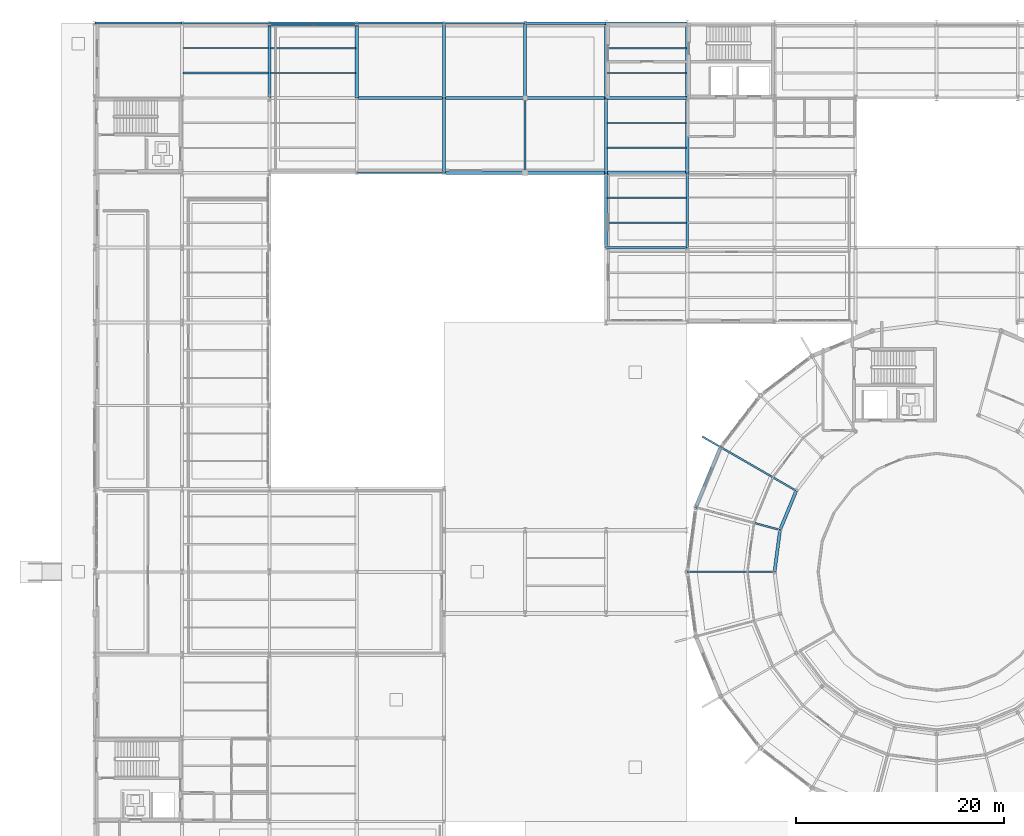
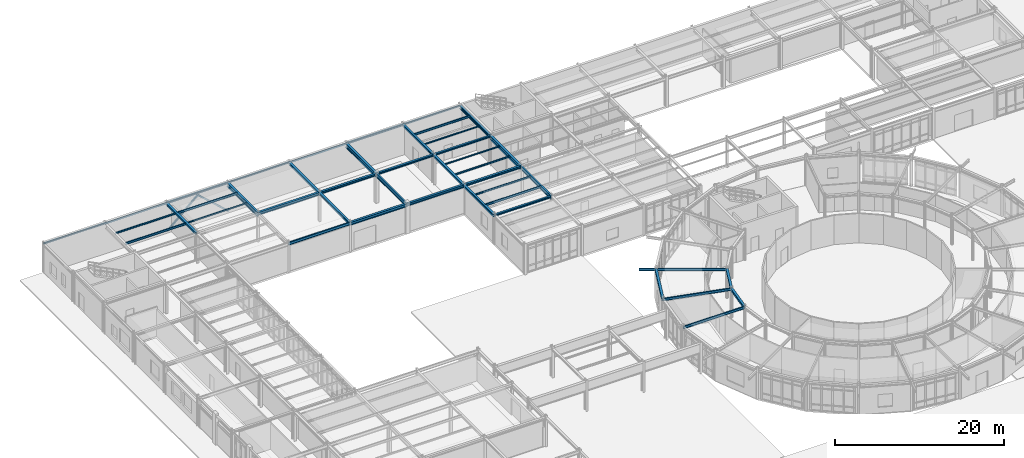
# One storey, part 43 of 101: 44 beams, 2 members.
"""IFC4 building model written with IfcOpenShell, lengths in metres."""

from ifc_helpers import new_model, si_unit, derived_unit, direction, frame, origin, origin_2d, place, context, subcontext, project, spatial, hollow_rectangle, i_section, extrude, material, material_profile, profile_set, type_object, element, save


model = new_model("IFC4")

# Units and contexts
model_context = context("Model", 3, precision=1e-05, world=origin(), true_north=direction((0.0, 1.0)))
body_context = subcontext(model_context, "Body", "Model", "MODEL_VIEW")
ifc_project = project(units=[si_unit("LENGTHUNIT", "METRE"), si_unit("AREAUNIT", "SQUARE_METRE"), si_unit("VOLUMEUNIT", "CUBIC_METRE"), si_unit("PLANEANGLEUNIT", "RADIAN"), si_unit("MASSUNIT", "GRAM", prefix="KILO"), derived_unit("THERMALTRANSMITTANCEUNIT", [(si_unit("POWERUNIT", "WATT"), 1), (si_unit("AREAUNIT", "SQUARE_METRE"), -1), (si_unit("THERMODYNAMICTEMPERATUREUNIT", "KELVIN"), -1)])], contexts=[model_context])

# Site, building, storey
site_placement = place(None, origin())
site = spatial("IfcSite", under=ifc_project, at=site_placement, CompositionType="ELEMENT")
building_placement = place(site_placement, origin())
building = spatial("IfcBuilding", under=site, at=building_placement, Name="Yasenodar Specialist Clinic", CompositionType="ELEMENT")
storey_placement = place(building_placement, origin())
storey = spatial("IfcBuildingStorey", under=building, at=storey_placement, Name="L00", CompositionType="ELEMENT", Elevation=0.0)

# Beams
ifc_material = material(Name="Steel S355", Category="steel")
ifc_material_profile_1 = material_profile(ifc_material, i_section(OverallWidth=0.260009765625, OverallDepth=0.25, WebThickness=0.007568359375, FlangeThickness=0.012451171875, FilletRadius=0.02392578125, at=origin_2d()), Name="HEA 260")
ifc_profile_set_1 = profile_set([ifc_material_profile_1], Name="Steel S355")
beam_type_1 = type_object("IfcBeamType", Name="BM-HEA260", PredefinedType="BEAM", material=ifc_profile_set_1)
for number, where, z_axis, x_axis, name in (
    (1, (49.199951171875, 90.0, 4.125), (1.0, 0.0, 0.0), (0.0, 1.0, 0.0), "L00 Primary E-W Girder"),
    (2, (49.199951171875, 104.39990234375, 4.125), (1.0, 0.0, 0.0), (0.0, 1.0, 0.0), "L00 Primary E-W Girder"),
):
    element("IfcBeam", number, at=place(storey_placement, frame(where, z_axis=z_axis, x_axis=x_axis)), inside=storey, type_object=beam_type_1, Name=name, PredefinedType="BEAM", context=body_context, shape_type="SweptSolid", body=[
        extrude(i_section(OverallWidth=0.260009765625, OverallDepth=0.25, WebThickness=0.007568359375, FlangeThickness=0.012451171875, FilletRadius=0.02392578125, at=origin_2d()), origin(), (0.0, 0.0, 1.0), 7.800048828125),
    ])
ifc_material_profile_2 = material_profile(ifc_material, i_section(OverallWidth=0.280029296875, OverallDepth=0.27001953125, WebThickness=0.008056640625, FlangeThickness=0.012939453125, FilletRadius=0.02392578125, at=origin_2d()), Name="HEA 280")
ifc_profile_set_2 = profile_set([ifc_material_profile_2], Name="Steel S355")
beam_type_2 = type_object("IfcBeamType", Name="BM-HEA280", PredefinedType="BEAM", material=ifc_profile_set_2)
beam_1_placement = place(storey_placement, frame((41.39990234375, 104.39990234375, 4.114990234375), z_axis=(1.0, 0.0, 0.0), x_axis=(0.0, 1.0, 0.0)))
element("IfcBeam", 3, at=beam_1_placement, inside=storey, type_object=beam_type_2, Name="L00 Primary E-W Girder", PredefinedType="BEAM", context=body_context, shape_type="SweptSolid", body=[
    extrude(i_section(OverallWidth=0.280029296875, OverallDepth=0.27001953125, WebThickness=0.008056640625, FlangeThickness=0.012939453125, FilletRadius=0.02392578125, at=origin_2d()), origin(), (0.0, 0.0, 1.0), 7.800048828125),
])
ifc_material_profile_3 = material_profile(ifc_material, i_section(OverallWidth=0.300048828125, OverallDepth=0.2900390625, WebThickness=0.008544921875, FlangeThickness=0.013916015625, FilletRadius=0.027099609375, at=origin_2d()), Name="HEA 300")
ifc_profile_set_3 = profile_set([ifc_material_profile_3], Name="Steel S355")
beam_type_3 = type_object("IfcBeamType", Name="BM-HEA300", PredefinedType="BEAM", material=ifc_profile_set_3)
beam_2_placement = place(storey_placement, frame((16.800048828125, 104.39990234375, 4.10498046875), z_axis=(0.0, 1.0, 0.0), x_axis=(-1.0, 0.0, 0.0)))
element("IfcBeam", 4, at=beam_2_placement, inside=storey, type_object=beam_type_3, Name="L00 Primary N-S Girder", PredefinedType="BEAM", context=body_context, shape_type="SweptSolid", body=[
    extrude(i_section(OverallWidth=0.300048828125, OverallDepth=0.2900390625, WebThickness=0.008544921875, FlangeThickness=0.013916015625, FilletRadius=0.027099609375, at=origin_2d()), origin(), (0.0, 0.0, 1.0), 7.2001953125),
])
ifc_material_profile_4 = material_profile(ifc_material, i_section(OverallWidth=0.300048828125, OverallDepth=0.330078125, WebThickness=0.009521484375, FlangeThickness=0.0166015625, FilletRadius=0.027099609375, at=origin_2d()), Name="HEA 340")
ifc_profile_set_4 = profile_set([ifc_material_profile_4], Name="Steel S355")
beam_type_4 = type_object("IfcBeamType", Name="BM-HEA340", PredefinedType="BEAM", material=ifc_profile_set_4)
beam_3_placement = place(storey_placement, frame((49.199951171875, 97.199951171875, 4.0849609375), z_axis=(1.0, 0.0, 0.0), x_axis=(0.0, 1.0, 0.0)))
element("IfcBeam", 5, at=beam_3_placement, inside=storey, type_object=beam_type_4, Name="L00 Primary E-W Girder", PredefinedType="BEAM", context=body_context, shape_type="SweptSolid", body=[
    extrude(i_section(OverallWidth=0.300048828125, OverallDepth=0.330078125, WebThickness=0.009521484375, FlangeThickness=0.0166015625, FilletRadius=0.027099609375, at=origin_2d()), origin(), (0.0, 0.0, 1.0), 7.800048828125),
])
beam_4_placement = place(storey_placement, frame((33.60009765625, 104.39990234375, 4.0849609375), z_axis=(1.0, 0.0, 0.0), x_axis=(0.0, 1.0, 0.0)))
element("IfcBeam", 6, at=beam_4_placement, inside=storey, type_object=beam_type_4, Name="L00 Primary E-W Girder", PredefinedType="BEAM", context=body_context, shape_type="SweptSolid", body=[
    extrude(i_section(OverallWidth=0.300048828125, OverallDepth=0.330078125, WebThickness=0.009521484375, FlangeThickness=0.0166015625, FilletRadius=0.027099609375, at=origin_2d()), origin(), (0.0, 0.0, 1.0), 7.7998046875),
])
for number, where, z_axis, x_axis, name in (
    (7, (67.489990234375, 66.60009765625, 4.0849609375), (-0.382660650645, -0.92388896868, 0.0), (0.92388896868, -0.382660650645, 0.0), "L00 Drum V1 Inner Ring Beam"),
    (8, (65.931640625, 62.837646484375, 4.0849609375), (-0.130569268018, -0.991439189385, 0.0), (0.991439189385, -0.130569268018, 0.0), "L00 Drum V1 Inner Ring Beam"),
):
    element("IfcBeam", number, at=place(storey_placement, frame(where, z_axis=z_axis, x_axis=x_axis)), inside=storey, type_object=beam_type_4, Name=name, PredefinedType="BEAM", context=body_context, shape_type="SweptSolid", body=[
        extrude(i_section(OverallWidth=0.300048828125, OverallDepth=0.330078125, WebThickness=0.009521484375, FlangeThickness=0.0166015625, FilletRadius=0.027099609375, at=origin_2d()), origin(), (0.0, 0.0, 1.0), 4.072509765625),
    ])
ifc_material_profile_5 = material_profile(ifc_material, i_section(OverallWidth=0.300048828125, OverallDepth=0.389892578125, WebThickness=0.010986328125, FlangeThickness=0.01904296875, FilletRadius=0.027099609375, at=origin_2d()), Name="HEA 400")
ifc_profile_set_5 = profile_set([ifc_material_profile_5], Name="Steel S355")
beam_type_5 = type_object("IfcBeamType", Name="BM-HEA400", PredefinedType="BEAM", material=ifc_profile_set_5)
beam_5_placement = place(storey_placement, frame((41.39990234375, 97.199951171875, 4.054931640625), z_axis=(1.0, 0.0, 0.0), x_axis=(0.0, 1.0, 0.0)))
element("IfcBeam", 9, at=beam_5_placement, inside=storey, type_object=beam_type_5, Name="L00 Primary E-W Girder", PredefinedType="BEAM", context=body_context, shape_type="SweptSolid", body=[
    extrude(i_section(OverallWidth=0.300048828125, OverallDepth=0.389892578125, WebThickness=0.010986328125, FlangeThickness=0.01904296875, FilletRadius=0.027099609375, at=origin_2d()), origin(), (0.0, 0.0, 1.0), 7.800048828125),
])
beam_6_placement = place(storey_placement, frame((25.199951171875, 104.39990234375, 4.054931640625), z_axis=(1.0, 0.0, 0.0), x_axis=(0.0, 1.0, 0.0)))
element("IfcBeam", 10, at=beam_6_placement, inside=storey, type_object=beam_type_5, Name="L00 Primary E-W Girder", PredefinedType="BEAM", context=body_context, shape_type="SweptSolid", body=[
    extrude(i_section(OverallWidth=0.300048828125, OverallDepth=0.389892578125, WebThickness=0.010986328125, FlangeThickness=0.01904296875, FilletRadius=0.027099609375, at=origin_2d()), origin(), (0.0, 0.0, 1.0), 8.400146484375),
])
beam_7_placement = place(storey_placement, frame((60.21533203125, 70.800048828125, 4.054931640625), z_axis=(-0.382663829839, -0.9238876519, 0.0), x_axis=(0.9238876519, -0.382663829839, 0.0)))
element("IfcBeam", 11, at=beam_7_placement, inside=storey, type_object=beam_type_5, Name="L00 Drum V1 Perimeter Ring Beam", PredefinedType="BEAM", context=body_context, shape_type="SweptSolid", body=[
    extrude(i_section(OverallWidth=0.300048828125, OverallDepth=0.389892578125, WebThickness=0.010986328125, FlangeThickness=0.01904296875, FilletRadius=0.027099609375, at=origin_2d()), origin(), (0.0, 0.0, 1.0), 6.26513671875),
])
ifc_material_profile_6 = material_profile(ifc_material, i_section(OverallWidth=0.300048828125, OverallDepth=0.43994140625, WebThickness=0.011474609375, FlangeThickness=0.02099609375, FilletRadius=0.027099609375, at=origin_2d()), Name="HEA 450")
ifc_profile_set_6 = profile_set([ifc_material_profile_6], Name="Steel S355")
beam_type_6 = type_object("IfcBeamType", Name="BM-HEA450", PredefinedType="BEAM", material=ifc_profile_set_6)
beam_8_placement = place(storey_placement, frame((33.60009765625, 97.199951171875, 4.030029296875), z_axis=(1.0, 0.0, 0.0), x_axis=(0.0, 1.0, 0.0)))
element("IfcBeam", 12, at=beam_8_placement, inside=storey, type_object=beam_type_6, Name="L00 Primary E-W Girder", PredefinedType="BEAM", context=body_context, shape_type="SweptSolid", body=[
    extrude(i_section(OverallWidth=0.300048828125, OverallDepth=0.43994140625, WebThickness=0.011474609375, FlangeThickness=0.02099609375, FilletRadius=0.027099609375, at=origin_2d()), origin(), (0.0, 0.0, 1.0), 7.7998046875),
])
ifc_material_profile_7 = material_profile(ifc_material, i_section(OverallWidth=0.280029296875, OverallDepth=0.280029296875, WebThickness=0.010498046875, FlangeThickness=0.01806640625, FilletRadius=0.02392578125, at=origin_2d()), Name="HEB 280")
ifc_profile_set_7 = profile_set([ifc_material_profile_7], Name="Steel S355")
beam_type_7 = type_object("IfcBeamType", Name="BM-HEB280", PredefinedType="BEAM", material=ifc_profile_set_7)
beam_9_placement = place(storey_placement, frame((49.199951171875, 104.39990234375, 4.110107421875), z_axis=(0.0, 1.0, 0.0), x_axis=(-1.0, 0.0, 0.0)))
element("IfcBeam", 13, at=beam_9_placement, inside=storey, type_object=beam_type_7, Name="L00 Primary N-S Girder", PredefinedType="BEAM", context=body_context, shape_type="SweptSolid", body=[
    extrude(i_section(OverallWidth=0.280029296875, OverallDepth=0.280029296875, WebThickness=0.010498046875, FlangeThickness=0.01806640625, FilletRadius=0.02392578125, at=origin_2d()), origin(), (0.0, 0.0, 1.0), 7.2001953125),
])
ifc_material_profile_8 = material_profile(ifc_material, i_section(OverallWidth=0.300048828125, OverallDepth=0.300048828125, WebThickness=0.010986328125, FlangeThickness=0.01904296875, FilletRadius=0.027099609375, at=origin_2d()), Name="HEB 300")
ifc_profile_set_8 = profile_set([ifc_material_profile_8], Name="Steel S355")
beam_type_8 = type_object("IfcBeamType", Name="BM-HEB300", PredefinedType="BEAM", material=ifc_profile_set_8)
beam_10_placement = place(storey_placement, frame((33.60009765625, 104.39990234375, 4.10009765625), z_axis=(0.0, 1.0, 0.0), x_axis=(-1.0, 0.0, 0.0)))
element("IfcBeam", 14, at=beam_10_placement, inside=storey, type_object=beam_type_8, Name="L00 Primary N-S Girder", PredefinedType="BEAM", context=body_context, shape_type="SweptSolid", body=[
    extrude(i_section(OverallWidth=0.300048828125, OverallDepth=0.300048828125, WebThickness=0.010986328125, FlangeThickness=0.01904296875, FilletRadius=0.027099609375, at=origin_2d()), origin(), (0.0, 0.0, 1.0), 7.2001953125),
])
beam_11_placement = place(storey_placement, frame((49.199951171875, 97.199951171875, 4.10009765625), z_axis=(0.0, 1.0, 0.0), x_axis=(-1.0, 0.0, 0.0)))
element("IfcBeam", 15, at=beam_11_placement, inside=storey, type_object=beam_type_8, Name="L00 Primary N-S Girder", PredefinedType="BEAM", context=body_context, shape_type="SweptSolid", body=[
    extrude(i_section(OverallWidth=0.300048828125, OverallDepth=0.300048828125, WebThickness=0.010986328125, FlangeThickness=0.01904296875, FilletRadius=0.027099609375, at=origin_2d()), origin(), (0.0, 0.0, 1.0), 7.199951171875),
])
ifc_material_profile_9 = material_profile(ifc_material, i_section(OverallWidth=0.300048828125, OverallDepth=0.340087890625, WebThickness=0.011962890625, FlangeThickness=0.021484375, FilletRadius=0.027099609375, at=origin_2d()), Name="HEB 340")
ifc_profile_set_9 = profile_set([ifc_material_profile_9], Name="Steel S355")
beam_type_9 = type_object("IfcBeamType", Name="BM-HEB340", PredefinedType="BEAM", material=ifc_profile_set_9)
for number, where, z_axis, x_axis, name in (
    (16, (33.60009765625, 97.199951171875, 4.080078125), (0.0, 1.0, 0.0), (-1.0, 0.0, 0.0), "L00 Primary N-S Girder"),
    (17, (49.199951171875, 90.0, 4.080078125), (0.0, 1.0, 0.0), (-1.0, 0.0, 0.0), "L00 Primary N-S Girder"),
):
    element("IfcBeam", number, at=place(storey_placement, frame(where, z_axis=z_axis, x_axis=x_axis)), inside=storey, type_object=beam_type_9, Name=name, PredefinedType="BEAM", context=body_context, shape_type="SweptSolid", body=[
        extrude(i_section(OverallWidth=0.300048828125, OverallDepth=0.340087890625, WebThickness=0.011962890625, FlangeThickness=0.021484375, FilletRadius=0.027099609375, at=origin_2d()), origin(), (0.0, 0.0, 1.0), 7.199951171875),
    ])
ifc_material_profile_10 = material_profile(ifc_material, i_section(OverallWidth=0.300048828125, OverallDepth=0.449951171875, WebThickness=0.013916015625, FlangeThickness=0.02587890625, FilletRadius=0.027099609375, at=origin_2d()), Name="HEB 450")
ifc_profile_set_10 = profile_set([ifc_material_profile_10], Name="Steel S355")
beam_type_10 = type_object("IfcBeamType", Name="BM-HEB450", PredefinedType="BEAM", material=ifc_profile_set_10)
beam_12_placement = place(storey_placement, frame((57.0, 104.39990234375, 4.02490234375), z_axis=(0.0, 1.0, 0.0), x_axis=(-1.0, 0.0, 0.0)))
element("IfcBeam", 18, at=beam_12_placement, inside=storey, type_object=beam_type_10, Name="L00 Primary N-S Girder", PredefinedType="BEAM", context=body_context, shape_type="SweptSolid", body=[
    extrude(i_section(OverallWidth=0.300048828125, OverallDepth=0.449951171875, WebThickness=0.013916015625, FlangeThickness=0.02587890625, FilletRadius=0.027099609375, at=origin_2d()), origin(), (0.0, 0.0, 1.0), 7.2001953125),
])
ifc_material_profile_11 = material_profile(ifc_material, i_section(OverallWidth=0.300048828125, OverallDepth=0.60009765625, WebThickness=0.015380859375, FlangeThickness=0.030029296875, FilletRadius=0.027099609375, at=origin_2d()), Name="HEB 600")
ifc_profile_set_11 = profile_set([ifc_material_profile_11], Name="Steel S355")
beam_type_11 = type_object("IfcBeamType", Name="BM-HEB600", PredefinedType="BEAM", material=ifc_profile_set_11)
for number, where, z_axis, x_axis, name in (
    (19, (25.199951171875, 104.39990234375, 3.949951171875), (0.0, 1.0, 0.0), (-1.0, 0.0, 0.0), "L00 Primary N-S Girder"),
    (20, (41.39990234375, 104.39990234375, 3.949951171875), (0.0, 1.0, 0.0), (-1.0, 0.0, 0.0), "L00 Primary N-S Girder"),
):
    element("IfcBeam", number, at=place(storey_placement, frame(where, z_axis=z_axis, x_axis=x_axis)), inside=storey, type_object=beam_type_11, Name=name, PredefinedType="BEAM", context=body_context, shape_type="SweptSolid", body=[
        extrude(i_section(OverallWidth=0.300048828125, OverallDepth=0.60009765625, WebThickness=0.015380859375, FlangeThickness=0.030029296875, FilletRadius=0.027099609375, at=origin_2d()), origin(), (0.0, 0.0, 1.0), 7.2001953125),
    ])
beam_13_placement = place(storey_placement, frame((57.0, 97.199951171875, 3.949951171875), z_axis=(0.0, 1.0, 0.0), x_axis=(-1.0, 0.0, 0.0)))
element("IfcBeam", 21, at=beam_13_placement, inside=storey, type_object=beam_type_11, Name="L00 Primary N-S Girder", PredefinedType="BEAM", context=body_context, shape_type="SweptSolid", body=[
    extrude(i_section(OverallWidth=0.300048828125, OverallDepth=0.60009765625, WebThickness=0.015380859375, FlangeThickness=0.030029296875, FilletRadius=0.027099609375, at=origin_2d()), origin(), (0.0, 0.0, 1.0), 7.199951171875),
])
ifc_material_profile_12 = material_profile(ifc_material, i_section(OverallWidth=0.169921875, OverallDepth=0.360107421875, WebThickness=0.008056640625, FlangeThickness=0.0126953125, FilletRadius=0.01806640625, at=origin_2d()), Name="IPE 360")
ifc_profile_set_12 = profile_set([ifc_material_profile_12], Name="Steel S355")
beam_type_12 = type_object("IfcBeamType", Name="BM-IPE360", PredefinedType="BEAM", material=ifc_profile_set_12)
beam_14_placement = place(storey_placement, frame((67.489990234375, 66.60009765625, 4.070068359375), z_axis=(-0.866033467715, 0.499986032603, 0.0), x_axis=(-0.499986032603, -0.866033467715, 0.0)))
element("IfcBeam", 22, at=beam_14_placement, inside=storey, type_object=beam_type_12, Name="L00 Drum V1 Radial Back-Spanned Cantilever Beam", PredefinedType="BEAM", context=body_context, shape_type="SweptSolid", body=[
    extrude(i_section(OverallWidth=0.169921875, OverallDepth=0.360107421875, WebThickness=0.008056640625, FlangeThickness=0.0126953125, FilletRadius=0.01806640625, at=origin_2d()), origin(), (0.0, 0.0, 1.0), 10.449951171875),
])
for number, where, z_axis, x_axis, name in (
    (23, (65.931640625, 62.837646484375, 4.070068359375), (-0.965925996761, 0.258818408893, 0.0), (-0.258818408893, -0.965925996761, 0.0), "L00 Drum V1 Radial Beam"),
    (24, (65.39990234375, 58.800048828125, 4.070068359375), (-1.0, 0.0, 0.0), (0.0, -1.0, 0.0), "L00 Drum V1 Radial Beam"),
):
    element("IfcBeam", number, at=place(storey_placement, frame(where, z_axis=z_axis, x_axis=x_axis)), inside=storey, type_object=beam_type_12, Name=name, PredefinedType="BEAM", context=body_context, shape_type="SweptSolid", body=[
        extrude(i_section(OverallWidth=0.169921875, OverallDepth=0.360107421875, WebThickness=0.008056640625, FlangeThickness=0.0126953125, FilletRadius=0.01806640625, at=origin_2d()), origin(), (0.0, 0.0, 1.0), 8.39990234375),
    ])
ifc_material_profile_13 = material_profile(ifc_material, i_section(OverallWidth=0.179931640625, OverallDepth=0.39990234375, WebThickness=0.008544921875, FlangeThickness=0.013427734375, FilletRadius=0.02099609375, at=origin_2d()), Name="IPE 400")
ifc_profile_set_13 = profile_set([ifc_material_profile_13], Name="Steel S355")
beam_type_13 = type_object("IfcBeamType", Name="BM-IPE400", PredefinedType="BEAM", material=ifc_profile_set_13)
beam_15_placement = place(storey_placement, frame((25.199951171875, 97.199951171875, 4.050048828125), z_axis=(1.0, 0.0, 0.0), x_axis=(0.0, 1.0, 0.0)))
element("IfcBeam", 25, at=beam_15_placement, inside=storey, type_object=beam_type_13, Name="L00 Primary E-W Girder", PredefinedType="BEAM", context=body_context, shape_type="SweptSolid", body=[
    extrude(i_section(OverallWidth=0.179931640625, OverallDepth=0.39990234375, WebThickness=0.008544921875, FlangeThickness=0.013427734375, FilletRadius=0.02099609375, at=origin_2d()), origin(), (0.0, 0.0, 1.0), 8.400146484375),
])
ifc_material_profile_14 = material_profile(ifc_material, i_section(OverallWidth=0.2099609375, OverallDepth=0.550048828125, WebThickness=0.010986328125, FlangeThickness=0.01708984375, FilletRadius=0.02392578125, at=origin_2d()), Name="IPE 550")
ifc_profile_set_14 = profile_set([ifc_material_profile_14], Name="Steel S355")
beam_type_14 = type_object("IfcBeamType", Name="BM-IPE550", PredefinedType="BEAM", material=ifc_profile_set_14)
for number, where, z_axis, x_axis, name in (
    (26, (41.39990234375, 97.199951171875, 3.97509765625), (0.0, 1.0, 0.0), (-1.0, 0.0, 0.0), "L00 Primary N-S Girder"),
    (27, (57.0, 90.0, 3.97509765625), (0.0, 1.0, 0.0), (-1.0, 0.0, 0.0), "L00 Primary N-S Girder"),
):
    element("IfcBeam", number, at=place(storey_placement, frame(where, z_axis=z_axis, x_axis=x_axis)), inside=storey, type_object=beam_type_14, Name=name, PredefinedType="BEAM", context=body_context, shape_type="SweptSolid", body=[
        extrude(i_section(OverallWidth=0.2099609375, OverallDepth=0.550048828125, WebThickness=0.010986328125, FlangeThickness=0.01708984375, FilletRadius=0.02392578125, at=origin_2d()), origin(), (0.0, 0.0, 1.0), 7.199951171875),
    ])

# Members
ifc_material_profile_15 = material_profile(ifc_material, hollow_rectangle(XDim=0.219970703125, YDim=0.219970703125, WallThickness=0.012451171875, InnerFilletRadius=0.018798828125, OuterFilletRadius=0.03125, at=origin_2d()), Name="SHS 220x220x12.5")
ifc_profile_set_15 = profile_set([ifc_material_profile_15], Name="Steel S355")
member_type = type_object("IfcMemberType", Name="BR-LAT-SHS220", PredefinedType="BRACE", material=ifc_profile_set_15)
for number, where, z_axis, x_axis, name in (
    (28, (16.800048828125, 111.425048828125, 0.14990234375), (0.741527609628, 0.0, 0.670922353302), (0.0, 1.0, 0.0), "L00 Lateral Chevron Brace 01A"),
    (29, (25.199951171875, 111.425048828125, 0.14990234375), (-0.741527609628, 0.0, 0.670922353302), (0.0, -1.0, 0.0), "L00 Lateral Chevron Brace 01B"),
):
    element("IfcMember", number, at=place(storey_placement, frame(where, z_axis=z_axis, x_axis=x_axis)), inside=storey, type_object=member_type, Name=name, PredefinedType="BRACE", context=body_context, shape_type="SweptSolid", body=[
        extrude(hollow_rectangle(XDim=0.219970703125, YDim=0.219970703125, WallThickness=0.012451171875, InnerFilletRadius=0.018798828125, OuterFilletRadius=0.03125, at=origin_2d()), origin(), (0.0, 0.0, 1.0), 5.663818359375),
    ])

# Beams
ifc_material_profile_16 = material_profile(ifc_material, i_section(OverallWidth=0.10009765625, OverallDepth=0.199951171875, WebThickness=0.005615234375, FlangeThickness=0.008544921875, FilletRadius=0.011962890625, at=origin_2d()), Name="IPE 200")
ifc_profile_set_16 = profile_set([ifc_material_profile_16], Name="Steel S355")
beam_type_15 = type_object("IfcBeamType", Name="JS-IPE200", PredefinedType="JOIST", material=ifc_profile_set_16)
beam_16_placement = place(storey_placement, frame((16.8798828125, 106.800048828125, 4.14990234375), z_axis=(1.0, 0.0, 0.0), x_axis=(0.0, 1.0, 0.0)))
element("IfcBeam", 30, at=beam_16_placement, inside=storey, type_object=beam_type_15, Name="L00 Composite Floor Joist", PredefinedType="JOIST", context=body_context, shape_type="SweptSolid", body=[
    extrude(i_section(OverallWidth=0.10009765625, OverallDepth=0.199951171875, WebThickness=0.005615234375, FlangeThickness=0.008544921875, FilletRadius=0.011962890625, at=origin_2d()), origin(), (0.0, 0.0, 1.0), 8.240234375),
])
for number, where, z_axis, x_axis, name in (
    (31, (49.280029296875, 102.0, 4.14990234375), (1.0, 0.0, 0.0), (0.0, 1.0, 0.0), "L00 Composite Floor Joist"),
    (32, (49.280029296875, 106.800048828125, 4.14990234375), (1.0, 0.0, 0.0), (0.0, 1.0, 0.0), "L00 Composite Floor Joist"),
):
    element("IfcBeam", number, at=place(storey_placement, frame(where, z_axis=z_axis, x_axis=x_axis)), inside=storey, type_object=beam_type_15, Name=name, PredefinedType="JOIST", context=body_context, shape_type="SweptSolid", body=[
        extrude(i_section(OverallWidth=0.10009765625, OverallDepth=0.199951171875, WebThickness=0.005615234375, FlangeThickness=0.008544921875, FilletRadius=0.011962890625, at=origin_2d()), origin(), (0.0, 0.0, 1.0), 7.639892578125),
    ])
ifc_material_profile_17 = material_profile(ifc_material, i_section(OverallWidth=0.1201171875, OverallDepth=0.239990234375, WebThickness=0.006103515625, FlangeThickness=0.009765625, FilletRadius=0.014892578125, at=origin_2d()), Name="IPE 240")
ifc_profile_set_17 = profile_set([ifc_material_profile_17], Name="Steel S355")
beam_type_16 = type_object("IfcBeamType", Name="JS-IPE240", PredefinedType="JOIST", material=ifc_profile_set_17)
beam_17_placement = place(storey_placement, frame((8.47998046875, 109.199951171875, 4.1298828125), z_axis=(1.0, 0.0, 0.0), x_axis=(0.0, 1.0, 0.0)))
element("IfcBeam", 33, at=beam_17_placement, inside=storey, type_object=beam_type_16, Name="L00 Composite Floor Joist", PredefinedType="JOIST", context=body_context, shape_type="SweptSolid", body=[
    extrude(i_section(OverallWidth=0.1201171875, OverallDepth=0.239990234375, WebThickness=0.006103515625, FlangeThickness=0.009765625, FilletRadius=0.014892578125, at=origin_2d()), origin(), (0.0, 0.0, 1.0), 8.239990234375),
])
for number, where, z_axis, x_axis, name in (
    (34, (49.280029296875, 94.800048828125, 4.1298828125), (1.0, 0.0, 0.0), (0.0, 1.0, 0.0), "L00 Composite Floor Joist"),
    (35, (49.280029296875, 99.60009765625, 4.1298828125), (1.0, 0.0, 0.0), (0.0, 1.0, 0.0), "L00 Composite Floor Joist"),
):
    element("IfcBeam", number, at=place(storey_placement, frame(where, z_axis=z_axis, x_axis=x_axis)), inside=storey, type_object=beam_type_16, Name=name, PredefinedType="JOIST", context=body_context, shape_type="SweptSolid", body=[
        extrude(i_section(OverallWidth=0.1201171875, OverallDepth=0.239990234375, WebThickness=0.006103515625, FlangeThickness=0.009765625, FilletRadius=0.014892578125, at=origin_2d()), origin(), (0.0, 0.0, 1.0), 7.639892578125),
    ])
ifc_material_profile_18 = material_profile(ifc_material, i_section(OverallWidth=0.14990234375, OverallDepth=0.300048828125, WebThickness=0.007080078125, FlangeThickness=0.0107421875, FilletRadius=0.014892578125, at=origin_2d()), Name="IPE 300")
ifc_profile_set_18 = profile_set([ifc_material_profile_18], Name="Steel S355")
beam_type_17 = type_object("IfcBeamType", Name="JS-IPE300", PredefinedType="JOIST", material=ifc_profile_set_18)
beam_18_placement = place(storey_placement, frame((8.47998046875, 106.800048828125, 4.10009765625), z_axis=(1.0, 0.0, 0.0), x_axis=(0.0, 1.0, 0.0)))
element("IfcBeam", 36, at=beam_18_placement, inside=storey, type_object=beam_type_17, Name="L00 Composite Floor Joist", PredefinedType="JOIST", context=body_context, shape_type="SweptSolid", body=[
    extrude(i_section(OverallWidth=0.14990234375, OverallDepth=0.300048828125, WebThickness=0.007080078125, FlangeThickness=0.0107421875, FilletRadius=0.014892578125, at=origin_2d()), origin(), (0.0, 0.0, 1.0), 8.239990234375),
])
beam_19_placement = place(storey_placement, frame((16.8798828125, 109.199951171875, 4.10009765625), z_axis=(1.0, 0.0, 0.0), x_axis=(0.0, 1.0, 0.0)))
element("IfcBeam", 37, at=beam_19_placement, inside=storey, type_object=beam_type_17, Name="L00 Composite Floor Joist", PredefinedType="JOIST", context=body_context, shape_type="SweptSolid", body=[
    extrude(i_section(OverallWidth=0.14990234375, OverallDepth=0.300048828125, WebThickness=0.007080078125, FlangeThickness=0.0107421875, FilletRadius=0.014892578125, at=origin_2d()), origin(), (0.0, 0.0, 1.0), 8.240234375),
])
for number, where, z_axis, x_axis, name in (
    (38, (49.280029296875, 92.39990234375, 4.10009765625), (1.0, 0.0, 0.0), (0.0, 1.0, 0.0), "L00 Composite Floor Joist"),
    (39, (49.280029296875, 109.199951171875, 4.10009765625), (1.0, 0.0, 0.0), (0.0, 1.0, 0.0), "L00 Composite Floor Joist"),
):
    element("IfcBeam", number, at=place(storey_placement, frame(where, z_axis=z_axis, x_axis=x_axis)), inside=storey, type_object=beam_type_17, Name=name, PredefinedType="JOIST", context=body_context, shape_type="SweptSolid", body=[
        extrude(i_section(OverallWidth=0.14990234375, OverallDepth=0.300048828125, WebThickness=0.007080078125, FlangeThickness=0.0107421875, FilletRadius=0.014892578125, at=origin_2d()), origin(), (0.0, 0.0, 1.0), 7.639892578125),
    ])
ifc_material_profile_19 = material_profile(ifc_material, i_section(OverallWidth=0.199951171875, OverallDepth=0.18994140625, WebThickness=0.006591796875, FlangeThickness=0.010009765625, FilletRadius=0.01806640625, at=origin_2d()), Name="HEA 200")
ifc_profile_set_19 = profile_set([ifc_material_profile_19], Name="Steel S355")
beam_type_18 = type_object("IfcBeamType", Name="SP-HEA200", PredefinedType="SPANDREL", material=ifc_profile_set_19)
beam_20_placement = place(storey_placement, frame((0.0, 111.60009765625, 4.155029296875), z_axis=(1.0, 0.0, 0.0), x_axis=(0.0, 1.0, 0.0)))
element("IfcBeam", 40, at=beam_20_placement, inside=storey, type_object=beam_type_18, Name="L00 Perimeter Spandrel Beam", PredefinedType="SPANDREL", context=body_context, shape_type="SweptSolid", body=[
    extrude(i_section(OverallWidth=0.199951171875, OverallDepth=0.18994140625, WebThickness=0.006591796875, FlangeThickness=0.010009765625, FilletRadius=0.01806640625, at=origin_2d()), origin(), (0.0, 0.0, 1.0), 8.39990234375),
])
beam_21_placement = place(storey_placement, frame((25.199951171875, 111.60009765625, 4.155029296875), z_axis=(1.0, 0.0, 0.0), x_axis=(0.0, 1.0, 0.0)))
element("IfcBeam", 41, at=beam_21_placement, inside=storey, type_object=beam_type_18, Name="L00 Perimeter Spandrel Beam", PredefinedType="SPANDREL", context=body_context, shape_type="SweptSolid", body=[
    extrude(i_section(OverallWidth=0.199951171875, OverallDepth=0.18994140625, WebThickness=0.006591796875, FlangeThickness=0.010009765625, FilletRadius=0.01806640625, at=origin_2d()), origin(), (0.0, 0.0, 1.0), 8.400146484375),
])
beam_22_placement = place(storey_placement, frame((49.199951171875, 111.60009765625, 4.155029296875), z_axis=(1.0, 0.0, 0.0), x_axis=(0.0, 1.0, 0.0)))
element("IfcBeam", 42, at=beam_22_placement, inside=storey, type_object=beam_type_18, Name="L00 Perimeter Spandrel Beam", PredefinedType="SPANDREL", context=body_context, shape_type="SweptSolid", body=[
    extrude(i_section(OverallWidth=0.199951171875, OverallDepth=0.18994140625, WebThickness=0.006591796875, FlangeThickness=0.010009765625, FilletRadius=0.01806640625, at=origin_2d()), origin(), (0.0, 0.0, 1.0), 7.800048828125),
])
ifc_material_profile_20 = material_profile(ifc_material, i_section(OverallWidth=0.239990234375, OverallDepth=0.22998046875, WebThickness=0.007568359375, FlangeThickness=0.011962890625, FilletRadius=0.02099609375, at=origin_2d()), Name="HEA 240")
ifc_profile_set_20 = profile_set([ifc_material_profile_20], Name="Steel S355")
beam_type_19 = type_object("IfcBeamType", Name="SP-HEA240", PredefinedType="SPANDREL", material=ifc_profile_set_20)
beam_23_placement = place(storey_placement, frame((16.800048828125, 111.60009765625, 4.135009765625), z_axis=(1.0, 0.0, 0.0), x_axis=(0.0, 1.0, 0.0)))
element("IfcBeam", 43, at=beam_23_placement, inside=storey, type_object=beam_type_19, Name="L00 Perimeter Spandrel Beam", PredefinedType="SPANDREL", context=body_context, shape_type="SweptSolid", body=[
    extrude(i_section(OverallWidth=0.239990234375, OverallDepth=0.22998046875, WebThickness=0.007568359375, FlangeThickness=0.011962890625, FilletRadius=0.02099609375, at=origin_2d()), origin(), (0.0, 0.0, 1.0), 8.39990234375),
])
beam_24_placement = place(storey_placement, frame((41.39990234375, 111.60009765625, 4.135009765625), z_axis=(1.0, 0.0, 0.0), x_axis=(0.0, 1.0, 0.0)))
element("IfcBeam", 44, at=beam_24_placement, inside=storey, type_object=beam_type_19, Name="L00 Perimeter Spandrel Beam", PredefinedType="SPANDREL", context=body_context, shape_type="SweptSolid", body=[
    extrude(i_section(OverallWidth=0.239990234375, OverallDepth=0.22998046875, WebThickness=0.007568359375, FlangeThickness=0.011962890625, FilletRadius=0.02099609375, at=origin_2d()), origin(), (0.0, 0.0, 1.0), 7.800048828125),
])
ifc_material_profile_21 = material_profile(ifc_material, hollow_rectangle(XDim=0.14990234375, YDim=0.25, WallThickness=0.010009765625, InnerFilletRadius=0.014892578125, OuterFilletRadius=0.02490234375, at=origin_2d()), Name="RHS 250x150x10")
ifc_profile_set_21 = profile_set([ifc_material_profile_21], Name="Steel S355")
beam_type_20 = type_object("IfcBeamType", Name="SP-RHS250", PredefinedType="SPANDREL", material=ifc_profile_set_21)
beam_25_placement = place(storey_placement, frame((8.39990234375, 111.60009765625, 4.125), z_axis=(1.0, 0.0, 0.0), x_axis=(0.0, 1.0, 0.0)))
element("IfcBeam", 45, at=beam_25_placement, inside=storey, type_object=beam_type_20, Name="L00 Perimeter Spandrel Beam", PredefinedType="SPANDREL", context=body_context, shape_type="SweptSolid", body=[
    extrude(hollow_rectangle(XDim=0.14990234375, YDim=0.25, WallThickness=0.010009765625, InnerFilletRadius=0.014892578125, OuterFilletRadius=0.02490234375, at=origin_2d()), origin(), (0.0, 0.0, 1.0), 8.400146484375),
])
beam_26_placement = place(storey_placement, frame((33.60009765625, 111.60009765625, 4.125), z_axis=(1.0, 0.0, 0.0), x_axis=(0.0, 1.0, 0.0)))
element("IfcBeam", 46, at=beam_26_placement, inside=storey, type_object=beam_type_20, Name="L00 Perimeter Spandrel Beam", PredefinedType="SPANDREL", context=body_context, shape_type="SweptSolid", body=[
    extrude(hollow_rectangle(XDim=0.14990234375, YDim=0.25, WallThickness=0.010009765625, InnerFilletRadius=0.014892578125, OuterFilletRadius=0.02490234375, at=origin_2d()), origin(), (0.0, 0.0, 1.0), 7.7998046875),
])

save(model, "model.ifc")
